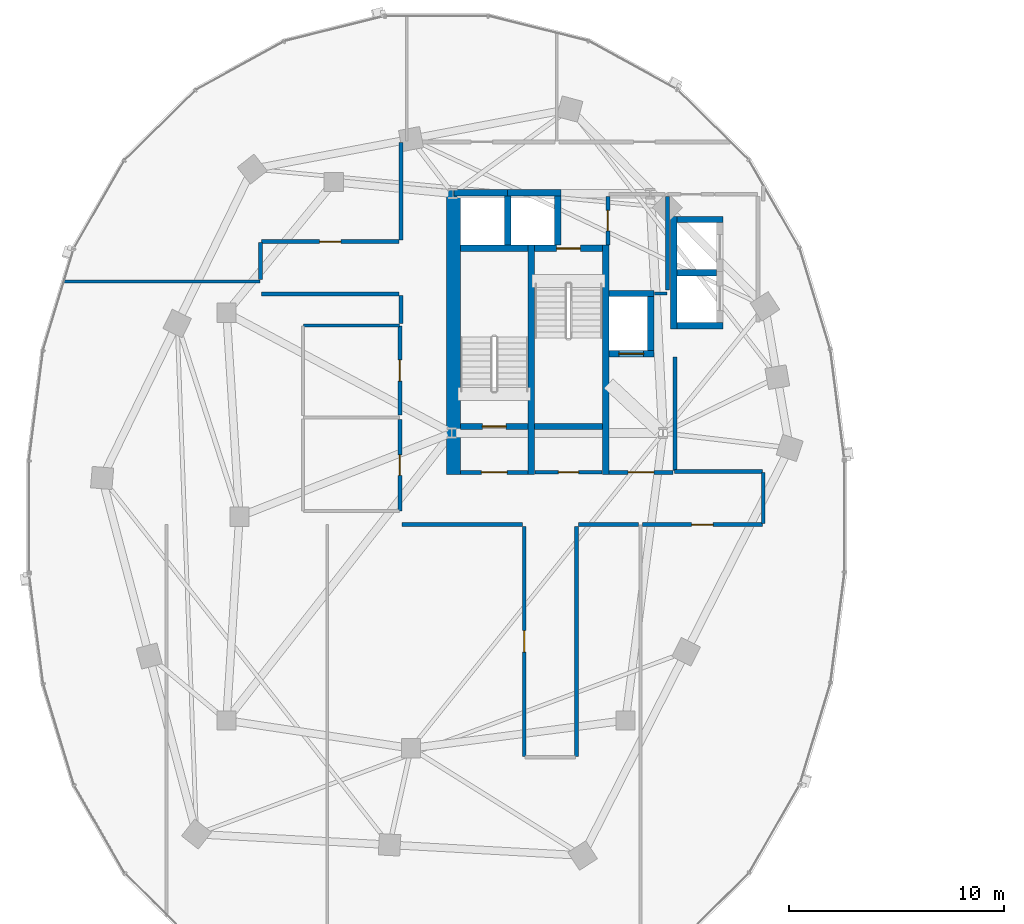
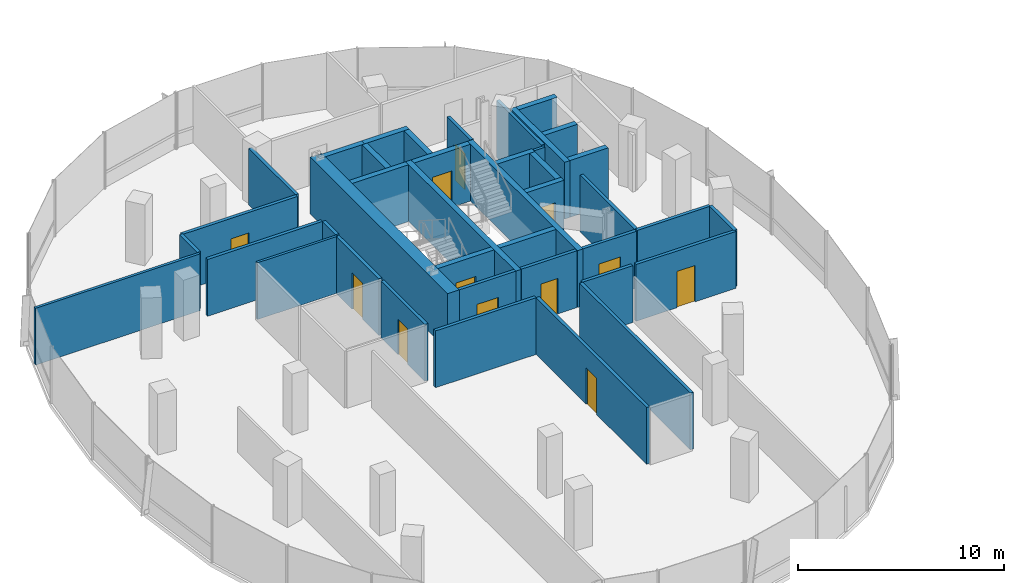
# One storey, part 12 of 22: 41 walls, 12 doors, 12 openings.
"""IFC4 building model written with IfcOpenShell, lengths in metres."""

from ifc_helpers import new_model, si_unit, direction, frame, frame_2d, origin, place, context, subcontext, project, spatial, rectangle, extrude, material, layer, layer_set, type_object, element, fill, save


model = new_model("IFC4")

# Units and contexts
model_context = context("Model", 3, precision=1e-05, world=origin(), true_north=direction((0.0, 1.0)))
body_context = subcontext(model_context, "Body", "Model", "MODEL_VIEW")
ifc_project = project(units=[si_unit("LENGTHUNIT", "METRE"), si_unit("AREAUNIT", "SQUARE_METRE"), si_unit("VOLUMEUNIT", "CUBIC_METRE"), si_unit("PLANEANGLEUNIT", "RADIAN"), si_unit("MASSUNIT", "GRAM", prefix="KILO"), si_unit("THERMODYNAMICTEMPERATUREUNIT", "KELVIN"), si_unit("POWERUNIT", "WATT")], contexts=[model_context])

# Site, building, storey
site_placement = place(None, origin())
site = spatial("IfcSite", under=ifc_project, at=site_placement, CompositionType="ELEMENT")
building_placement = place(site_placement, origin())
building = spatial("IfcBuilding", under=site, at=building_placement, Name="Cundina Bronze Exchange", CompositionType="ELEMENT")
storey_placement = place(building_placement, frame((0.0, 0.0, 140.39990234375)))
storey = spatial("IfcBuildingStorey", under=building, at=storey_placement, Name="L36", CompositionType="ELEMENT", Elevation=140.39990234375)

# Wall
ifc_material_1 = material(Name="Gypsum Fireboard Partition EI120")
ifc_layer_1 = layer(ifc_material_1, 0.179931640625, Name="Gypsum Fireboard Partition EI120")
ifc_layer_set_1 = layer_set([ifc_layer_1], Name="Gypsum Fireboard Partition EI120")
wall_type_1 = type_object("IfcWallType", Name="WL-COR-180", PredefinedType="PARTITIONING", material=ifc_layer_set_1)
wall_1_placement = place(storey_placement, frame((-20.889892578125, 2.14990234375, 0.0), z_axis=(0.0, 0.0, 1.0), x_axis=(0.0, 1.0, 0.0)))
element("IfcWall", 1, at=wall_1_placement, inside=storey, type_object=wall_type_1, Name="L36 W Firefighting Lobby Side Wall", PredefinedType="PARTITIONING", context=body_context, shape_type="SweptSolid", body=[
    extrude(rectangle(XDim=5.300048828125, YDim=0.179931640625, at=frame_2d((2.64990234375, 0.0))), origin(), (0.0, 0.0, 1.0), 3.360107421875),
])

# Wall, opening, door
wall_2_placement = place(storey_placement, frame((-23.97998046875, 2.06005859375, 0.0), z_axis=(0.0, 0.0, 1.0), x_axis=(1.0, 0.0, 0.0)))
wall_2 = element("IfcWall", 2, at=wall_2_placement, inside=storey, type_object=wall_type_1, Name="L36 W Firefighting Lobby Exit Wall", PredefinedType="PARTITIONING", context=body_context, shape_type="SweptSolid", body=[
    extrude(rectangle(XDim=3.0, YDim=0.179931640625, at=frame_2d((1.5, 0.0))), origin(), (0.0, 0.0, 1.0), 3.360107421875),
])
opening_1_placement = place(wall_2_placement, frame((0.89990234375, 0.0, 0.0)))
opening_1 = element("IfcOpeningElement", 3, at=opening_1_placement, cuts=wall_2, Name="Opening DF-01", PredefinedType="OPENING", context=body_context, shape_type="SweptSolid", body=[
    extrude(rectangle(XDim=1.199951171875, YDim=2.14990234375, at=frame_2d((0.60009765625, 1.074951171875))), frame((0.0, 0.099853515625, 0.0), z_axis=(0.0, -1.0, 0.0), x_axis=(1.0, 0.0, 0.0)), (0.0, 0.0, 1.0), 0.199951171875),
])
ifc_material_2 = material(Name="Steel ASTM A36 Painted", Category="steel")
door_type_1 = type_object("IfcDoorType", Name="DR-FFL-1200", OperationType="NOTDEFINED", PredefinedType="DOOR", material=ifc_material_2)
door_1_placement = place(opening_1_placement, origin())
door_1 = element("IfcDoor", 4, at=door_1_placement, inside=storey, type_object=door_type_1, Name="L36 W Firefighting Lobby Door", OperationType="SINGLE_SWING_RIGHT", OverallHeight=2.14990234375, OverallWidth=1.199951171875, PredefinedType="DOOR", context=body_context, shape_type="SweptSolid", body=[
    extrude(rectangle(XDim=1.199951171875, YDim=2.14990234375, at=frame_2d((0.60009765625, 1.074951171875))), frame((0.0, 0.02490234375, 0.0), z_axis=(0.0, -1.0, 0.0), x_axis=(1.0, 0.0, 0.0)), (0.0, 0.0, 1.0), 0.050048828125),
])
fill(opening_1, door_1)

wall_3_placement = place(storey_placement, frame((-30.89990234375, 2.06005859375, 0.0), z_axis=(0.0, 0.0, 1.0), x_axis=(1.0, 0.0, 0.0)))
wall_3 = element("IfcWall", 5, at=wall_3_placement, inside=storey, type_object=wall_type_1, Name="L36 W Stair Vestibule Exit Wall", PredefinedType="PARTITIONING", context=body_context, shape_type="SweptSolid", body=[
    extrude(rectangle(XDim=3.159912109375, YDim=0.179931640625, at=frame_2d((1.580078125, 0.0))), origin(), (0.0, 0.0, 1.0), 3.360107421875),
])
opening_2_placement = place(wall_3_placement, frame((0.97998046875, 0.0, 0.0)))
opening_2 = element("IfcOpeningElement", 6, at=opening_2_placement, cuts=wall_3, Name="Opening DF-01", PredefinedType="OPENING", context=body_context, shape_type="SweptSolid", body=[
    extrude(rectangle(XDim=1.199951171875, YDim=2.14990234375, at=frame_2d((0.60009765625, 1.074951171875))), frame((0.0, 0.099853515625, 0.0), z_axis=(0.0, -1.0, 0.0), x_axis=(1.0, 0.0, 0.0)), (0.0, 0.0, 1.0), 0.199951171875),
])
door_2_placement = place(opening_2_placement, origin())
door_2 = element("IfcDoor", 7, at=door_2_placement, inside=storey, type_object=door_type_1, Name="L36 W Stair Vestibule Door", OperationType="SINGLE_SWING_LEFT", OverallHeight=2.14990234375, OverallWidth=1.199951171875, PredefinedType="DOOR", context=body_context, shape_type="SweptSolid", body=[
    extrude(rectangle(XDim=1.199951171875, YDim=2.14990234375, at=frame_2d((0.60009765625, 1.074951171875))), frame((0.0, 0.02490234375, 0.0), z_axis=(0.0, -1.0, 0.0), x_axis=(1.0, 0.0, 0.0)), (0.0, 0.0, 1.0), 0.050048828125),
])
fill(opening_2, door_2)

# Wall
wall_4_placement = place(storey_placement, frame((-21.25, 10.570068359375, 0.0), z_axis=(0.0, 0.0, 1.0), x_axis=(0.0, 1.0, 0.0)))
element("IfcWall", 8, at=wall_4_placement, inside=storey, type_object=wall_type_1, Name="L36 Interior Partition 005", PredefinedType="PARTITIONING", context=body_context, shape_type="SweptSolid", body=[
    extrude(rectangle(XDim=4.35986328125, YDim=0.179931640625, at=frame_2d((2.179931640625, 0.0))), origin(), (0.0, 0.0, 1.0), 3.360107421875),
])

# Wall, opening, door
wall_5_placement = place(storey_placement, frame((-27.419921875, 2.070068359375, 0.0), z_axis=(0.0, 0.0, 1.0), x_axis=(1.0, 0.0, 0.0)))
wall_5 = element("IfcWall", 9, at=wall_5_placement, inside=storey, type_object=wall_type_1, Name="L36 Interior Partition 007", PredefinedType="PARTITIONING", context=body_context, shape_type="SweptSolid", body=[
    extrude(rectangle(XDim=3.119873046875, YDim=0.179931640625, at=frame_2d((1.56005859375, 0.0))), origin(), (0.0, 0.0, 1.0), 3.360107421875),
])
opening_3_placement = place(wall_5_placement, frame((1.0849609375, 0.0, 0.0)))
opening_3 = element("IfcOpeningElement", 10, at=opening_3_placement, cuts=wall_5, Name="Opening DW-01", PredefinedType="OPENING", context=body_context, shape_type="SweptSolid", body=[
    extrude(rectangle(XDim=0.949951171875, YDim=2.10009765625, at=frame_2d((0.47509765625, 1.050048828125))), frame((0.0, 0.099853515625, 0.0), z_axis=(0.0, -1.0, 0.0), x_axis=(1.0, 0.0, 0.0)), (0.0, 0.0, 1.0), 0.199951171875),
])
ifc_material_3 = material(Name="Solid Andean Oak Timber Grade A", Category="wood")
door_type_2 = type_object("IfcDoorType", Name="DR-WC-950", OperationType="NOTDEFINED", PredefinedType="DOOR", material=ifc_material_3)
door_3_placement = place(opening_3_placement, origin())
door_3 = element("IfcDoor", 11, at=door_3_placement, inside=storey, type_object=door_type_2, Name="L36 Interior Door 007", OperationType="SINGLE_SWING_LEFT", OverallHeight=2.10009765625, OverallWidth=0.949951171875, PredefinedType="DOOR", context=body_context, shape_type="SweptSolid", body=[
    extrude(rectangle(XDim=0.949951171875, YDim=2.10009765625, at=frame_2d((0.47509765625, 1.050048828125))), frame((0.0, 0.02490234375, 0.0), z_axis=(0.0, -1.0, 0.0), x_axis=(1.0, 0.0, 0.0)), (0.0, 0.0, 1.0), 0.050048828125),
])
fill(opening_3, door_3)

wall_6_placement = place(storey_placement, frame((-24.02001953125, 12.669921875, 0.0), z_axis=(0.0, 0.0, 1.0), x_axis=(0.0, 1.0, 0.0)))
wall_6 = element("IfcWall", 12, at=wall_6_placement, inside=storey, type_object=wall_type_1, Name="L36 Interior Partition 008", PredefinedType="PARTITIONING", context=body_context, shape_type="SweptSolid", body=[
    extrude(rectangle(XDim=2.260009765625, YDim=0.179931640625, at=frame_2d((1.1298828125, 0.0))), origin(), (0.0, 0.0, 1.0), 3.360107421875),
])
opening_4_placement = place(wall_6_placement, frame((0.655029296875, 0.0, 0.0)))
opening_4 = element("IfcOpeningElement", 13, at=opening_4_placement, cuts=wall_6, Name="Opening DW-01", PredefinedType="OPENING", context=body_context, shape_type="SweptSolid", body=[
    extrude(rectangle(XDim=0.949951171875, YDim=2.10009765625, at=frame_2d((0.47509765625, 1.050048828125))), frame((0.0, 0.099853515625, 0.0), z_axis=(0.0, -1.0, 0.0), x_axis=(1.0, 0.0, 0.0)), (0.0, 0.0, 1.0), 0.199951171875),
])
door_4_placement = place(opening_4_placement, origin())
door_4 = element("IfcDoor", 14, at=door_4_placement, inside=storey, type_object=door_type_2, Name="L36 Interior Door 008", OperationType="SINGLE_SWING_LEFT", OverallHeight=2.10009765625, OverallWidth=0.949951171875, PredefinedType="DOOR", context=body_context, shape_type="SweptSolid", body=[
    extrude(rectangle(XDim=0.949951171875, YDim=2.10009765625, at=frame_2d((0.47509765625, 1.050048828125))), frame((0.0, 0.02490234375, 0.0), z_axis=(0.0, -1.0, 0.0), x_axis=(1.0, 0.0, 0.0)), (0.0, 0.0, 1.0), 0.050048828125),
])
fill(opening_4, door_4)

wall_7_placement = place(storey_placement, frame((-33.719970703125, 0.27001953125, 0.0), z_axis=(0.0, 0.0, 1.0), x_axis=(0.0, 1.0, 0.0)))
wall_7 = element("IfcWall", 15, at=wall_7_placement, inside=storey, type_object=wall_type_1, Name="L36 Interior Partition 014", PredefinedType="PARTITIONING", context=body_context, shape_type="SweptSolid", body=[
    extrude(rectangle(XDim=4.260009765625, YDim=0.179931640625, at=frame_2d((2.1298828125, 0.0))), origin(), (0.0, 0.0, 1.0), 3.360107421875),
])
opening_5_placement = place(wall_7_placement, frame((1.655029296875, 0.0, 0.0)))
opening_5 = element("IfcOpeningElement", 16, at=opening_5_placement, cuts=wall_7, Name="Opening DW-01", PredefinedType="OPENING", context=body_context, shape_type="SweptSolid", body=[
    extrude(rectangle(XDim=0.949951171875, YDim=2.10009765625, at=frame_2d((0.47509765625, 1.050048828125))), frame((0.0, 0.099853515625, 0.0), z_axis=(0.0, -1.0, 0.0), x_axis=(1.0, 0.0, 0.0)), (0.0, 0.0, 1.0), 0.199951171875),
])
door_5_placement = place(opening_5_placement, origin())
door_5 = element("IfcDoor", 17, at=door_5_placement, inside=storey, type_object=door_type_2, Name="L36 Interior Door 014", OperationType="SINGLE_SWING_RIGHT", OverallHeight=2.10009765625, OverallWidth=0.949951171875, PredefinedType="DOOR", context=body_context, shape_type="SweptSolid", body=[
    extrude(rectangle(XDim=0.949951171875, YDim=2.10009765625, at=frame_2d((0.47509765625, 1.050048828125))), frame((0.0, 0.02490234375, 0.0), z_axis=(0.0, -1.0, 0.0), x_axis=(1.0, 0.0, 0.0)), (0.0, 0.0, 1.0), 0.050048828125),
])
fill(opening_5, door_5)

wall_8_placement = place(storey_placement, frame((-33.719970703125, 4.72998046875, 0.0), z_axis=(0.0, 0.0, 1.0), x_axis=(0.0, 1.0, 0.0)))
wall_8 = element("IfcWall", 18, at=wall_8_placement, inside=storey, type_object=wall_type_1, Name="L36 Interior Partition 015", PredefinedType="PARTITIONING", context=body_context, shape_type="SweptSolid", body=[
    extrude(rectangle(XDim=4.159912109375, YDim=0.179931640625, at=frame_2d((2.080078125, 0.0))), origin(), (0.0, 0.0, 1.0), 3.360107421875),
])
opening_6_placement = place(wall_8_placement, frame((1.580078125, 0.0, 0.0)))
opening_6 = element("IfcOpeningElement", 19, at=opening_6_placement, cuts=wall_8, Name="Opening DO-01", PredefinedType="OPENING", context=body_context, shape_type="SweptSolid", body=[
    extrude(rectangle(XDim=1.0, YDim=2.14990234375, at=frame_2d((0.5, 1.074951171875))), frame((0.0, 0.099853515625, 0.0), z_axis=(0.0, -1.0, 0.0), x_axis=(1.0, 0.0, 0.0)), (0.0, 0.0, 1.0), 0.199951171875),
])
door_type_3 = type_object("IfcDoorType", Name="DR-OFF-1000", OperationType="NOTDEFINED", PredefinedType="DOOR", material=ifc_material_3)
door_6_placement = place(opening_6_placement, origin())
door_6 = element("IfcDoor", 20, at=door_6_placement, inside=storey, type_object=door_type_3, Name="L36 Interior Door 015", OperationType="SINGLE_SWING_RIGHT", OverallHeight=2.14990234375, OverallWidth=1.0, PredefinedType="DOOR", context=body_context, shape_type="SweptSolid", body=[
    extrude(rectangle(XDim=1.0, YDim=2.14990234375, at=frame_2d((0.5, 1.074951171875))), frame((0.0, 0.02490234375, 0.0), z_axis=(0.0, -1.0, 0.0), x_axis=(1.0, 0.0, 0.0)), (0.0, 0.0, 1.0), 0.050048828125),
])
fill(opening_6, door_6)

wall_9_placement = place(storey_placement, frame((-27.919921875, -0.449951171875, 0.0), z_axis=(0.0, 0.0, 1.0), x_axis=(0.0, -1.0, 0.0)))
wall_9 = element("IfcWall", 21, at=wall_9_placement, inside=storey, type_object=wall_type_1, Name="L36 Interior Partition 022", PredefinedType="PARTITIONING", context=body_context, shape_type="SweptSolid", body=[
    extrude(rectangle(XDim=10.728515625, YDim=0.179931640625, at=frame_2d((5.3642578125, 0.0))), origin(), (0.0, 0.0, 1.0), 3.360107421875),
])
opening_7_placement = place(wall_9_placement, frame((4.8642578125, 0.0, 0.0)))
opening_7 = element("IfcOpeningElement", 22, at=opening_7_placement, cuts=wall_9, Name="Opening DO-01", PredefinedType="OPENING", context=body_context, shape_type="SweptSolid", body=[
    extrude(rectangle(XDim=1.0, YDim=2.14990234375, at=frame_2d((0.5, 1.074951171875))), frame((0.0, 0.099853515625, 0.0), z_axis=(0.0, -1.0, 0.0), x_axis=(1.0, 0.0, 0.0)), (0.0, 0.0, 1.0), 0.199951171875),
])
door_7_placement = place(opening_7_placement, origin())
door_7 = element("IfcDoor", 23, at=door_7_placement, inside=storey, type_object=door_type_3, Name="L36 Interior Door 022", OperationType="SINGLE_SWING_LEFT", OverallHeight=2.14990234375, OverallWidth=1.0, PredefinedType="DOOR", context=body_context, shape_type="SweptSolid", body=[
    extrude(rectangle(XDim=1.0, YDim=2.14990234375, at=frame_2d((0.5, 1.074951171875))), frame((0.0, 0.02490234375, 0.0), z_axis=(0.0, -1.0, 0.0), x_axis=(1.0, 0.0, 0.0)), (0.0, 0.0, 1.0), 0.050048828125),
])
fill(opening_7, door_7)

# Walls
wall_10_placement = place(storey_placement, frame((-25.47998046875, -11.178466796875, 0.0), z_axis=(0.0, 0.0, 1.0), x_axis=(0.0, 1.0, 0.0)))
element("IfcWall", 24, at=wall_10_placement, inside=storey, type_object=wall_type_1, Name="L36 Interior Partition 023", PredefinedType="PARTITIONING", context=body_context, shape_type="SweptSolid", body=[
    extrude(rectangle(XDim=10.728515625, YDim=0.179931640625, at=frame_2d((5.3642578125, 0.0))), origin(), (0.0, 0.0, 1.0), 3.360107421875),
])
wall_11_placement = place(storey_placement, frame((-40.178466796875, 10.3798828125, 0.0), z_axis=(0.0, 0.0, 1.0), x_axis=(1.0, 0.0, 0.0)))
element("IfcWall", 25, at=wall_11_placement, inside=storey, type_object=wall_type_1, Name="L36 Interior Partition 024", PredefinedType="PARTITIONING", context=body_context, shape_type="SweptSolid", body=[
    extrude(rectangle(XDim=6.428466796875, YDim=0.179931640625, at=frame_2d((3.21435546875, 0.0))), origin(), (0.0, 0.0, 1.0), 3.360107421875),
])
wall_12_placement = place(storey_placement, frame((-33.62841796875, -0.3701171875, 0.0), z_axis=(0.0, 0.0, 1.0), x_axis=(1.0, 0.0, 0.0)))
element("IfcWall", 26, at=wall_12_placement, inside=storey, type_object=wall_type_1, Name="L36 Interior Partition 025", PredefinedType="PARTITIONING", context=body_context, shape_type="SweptSolid", body=[
    extrude(rectangle(XDim=5.62841796875, YDim=0.179931640625, at=frame_2d((2.814208984375, 0.0))), origin(), (0.0, 0.0, 1.0), 3.360107421875),
])
wall_13_placement = place(storey_placement, frame((-25.39990234375, -0.3701171875, 0.0), z_axis=(0.0, 0.0, 1.0), x_axis=(1.0, 0.0, 0.0)))
element("IfcWall", 27, at=wall_13_placement, inside=storey, type_object=wall_type_1, Name="L36 Interior Partition 026", PredefinedType="PARTITIONING", context=body_context, shape_type="SweptSolid", body=[
    extrude(rectangle(XDim=2.809814453125, YDim=0.179931640625, at=frame_2d((1.40478515625, 0.0))), origin(), (0.0, 0.0, 1.0), 3.360107421875),
])
wall_14_placement = place(storey_placement, frame((-33.669921875, 10.300048828125, 0.0), z_axis=(0.0, 0.0, 1.0), x_axis=(0.0, -1.0, 0.0)))
element("IfcWall", 28, at=wall_14_placement, inside=storey, type_object=wall_type_1, Name="L36 Interior Partition 028", PredefinedType="PARTITIONING", context=body_context, shape_type="SweptSolid", body=[
    extrude(rectangle(XDim=1.298583984375, YDim=0.179931640625, at=frame_2d((0.6494140625, 0.0))), origin(), (0.0, 0.0, 1.0), 3.360107421875),
])

# Wall, opening, door
wall_15_placement = place(storey_placement, frame((-22.409912109375, -0.3701171875, 0.0), z_axis=(0.0, 0.0, 1.0), x_axis=(1.0, 0.0, 0.0)))
wall_15 = element("IfcWall", 29, at=wall_15_placement, inside=storey, type_object=wall_type_1, Name="L36 Interior Partition 029", PredefinedType="PARTITIONING", context=body_context, shape_type="SweptSolid", body=[
    extrude(rectangle(XDim=5.58837890625, YDim=0.179931640625, at=frame_2d((2.794189453125, 0.0))), origin(), (0.0, 0.0, 1.0), 3.360107421875),
])
opening_8_placement = place(wall_15_placement, frame((2.294189453125, 0.0, 0.0)))
opening_8 = element("IfcOpeningElement", 30, at=opening_8_placement, cuts=wall_15, Name="Opening DO-01", PredefinedType="OPENING", context=body_context, shape_type="SweptSolid", body=[
    extrude(rectangle(XDim=1.0, YDim=2.14990234375, at=frame_2d((0.5, 1.074951171875))), frame((0.0, 0.099853515625, 0.0), z_axis=(0.0, -1.0, 0.0), x_axis=(1.0, 0.0, 0.0)), (0.0, 0.0, 1.0), 0.199951171875),
])
door_8_placement = place(opening_8_placement, origin())
door_8 = element("IfcDoor", 31, at=door_8_placement, inside=storey, type_object=door_type_3, Name="L36 Interior Door 029", OperationType="SINGLE_SWING_LEFT", OverallHeight=2.14990234375, OverallWidth=1.0, PredefinedType="DOOR", context=body_context, shape_type="SweptSolid", body=[
    extrude(rectangle(XDim=1.0, YDim=2.14990234375, at=frame_2d((0.5, 1.074951171875))), frame((0.0, 0.02490234375, 0.0), z_axis=(0.0, -1.0, 0.0), x_axis=(1.0, 0.0, 0.0)), (0.0, 0.0, 1.0), 0.050048828125),
])
fill(opening_8, door_8)

# Walls
wall_16_placement = place(storey_placement, frame((-16.821533203125, 2.10009765625, 0.0), z_axis=(0.0, 0.0, 1.0), x_axis=(-1.0, 0.0, 0.0)))
element("IfcWall", 32, at=wall_16_placement, inside=storey, type_object=wall_type_1, Name="L36 Interior Partition 030", PredefinedType="PARTITIONING", context=body_context, shape_type="SweptSolid", body=[
    extrude(rectangle(XDim=4.098388671875, YDim=0.179931640625, at=frame_2d((2.04931640625, 0.0))), origin(), (0.0, 0.0, 1.0), 3.360107421875),
])
wall_17_placement = place(storey_placement, frame((-16.780029296875, -0.32861328125, 0.0), z_axis=(0.0, 0.0, 1.0), x_axis=(0.0, 1.0, 0.0)))
element("IfcWall", 33, at=wall_17_placement, inside=storey, type_object=wall_type_1, Name="L36 Interior Partition 031", PredefinedType="PARTITIONING", context=body_context, shape_type="SweptSolid", body=[
    extrude(rectangle(XDim=2.38720703125, YDim=0.179931640625, at=frame_2d((1.193603515625, 0.0))), origin(), (0.0, 0.0, 1.0), 3.360107421875),
])

# Wall, opening, door
wall_18_placement = place(storey_placement, frame((-33.75, 12.820068359375, 0.0), z_axis=(0.0, 0.0, 1.0), x_axis=(-1.0, 0.0, 0.0)))
wall_18 = element("IfcWall", 34, at=wall_18_placement, inside=storey, type_object=wall_type_1, Name="L36 Interior Partition 033", PredefinedType="PARTITIONING", context=body_context, shape_type="SweptSolid", body=[
    extrude(rectangle(XDim=6.428466796875, YDim=0.179931640625, at=frame_2d((3.21435546875, 0.0))), origin(), (0.0, 0.0, 1.0), 3.360107421875),
])
opening_9_placement = place(wall_18_placement, frame((2.714111328125, 0.0, 0.0)))
opening_9 = element("IfcOpeningElement", 35, at=opening_9_placement, cuts=wall_18, Name="Opening DO-01", PredefinedType="OPENING", context=body_context, shape_type="SweptSolid", body=[
    extrude(rectangle(XDim=1.0, YDim=2.14990234375, at=frame_2d((0.5, 1.074951171875))), frame((0.0, 0.099853515625, 0.0), z_axis=(0.0, -1.0, 0.0), x_axis=(1.0, 0.0, 0.0)), (0.0, 0.0, 1.0), 0.199951171875),
])
door_9_placement = place(opening_9_placement, origin())
door_9 = element("IfcDoor", 36, at=door_9_placement, inside=storey, type_object=door_type_3, Name="L36 Interior Door 033", OperationType="SINGLE_SWING_RIGHT", OverallHeight=2.14990234375, OverallWidth=1.0, PredefinedType="DOOR", context=body_context, shape_type="SweptSolid", body=[
    extrude(rectangle(XDim=1.0, YDim=2.14990234375, at=frame_2d((0.5, 1.074951171875))), frame((0.0, 0.02490234375, 0.0), z_axis=(0.0, -1.0, 0.0), x_axis=(1.0, 0.0, 0.0)), (0.0, 0.0, 1.0), 0.050048828125),
])
fill(opening_9, door_9)

# Walls
wall_19_placement = place(storey_placement, frame((-33.669921875, 17.428466796875, 0.0), z_axis=(0.0, 0.0, 1.0), x_axis=(0.0, -1.0, 0.0)))
element("IfcWall", 37, at=wall_19_placement, inside=storey, type_object=wall_type_1, Name="L36 Interior Partition 034", PredefinedType="PARTITIONING", context=body_context, shape_type="SweptSolid", body=[
    extrude(rectangle(XDim=4.528564453125, YDim=0.179931640625, at=frame_2d((2.26416015625, 0.0))), origin(), (0.0, 0.0, 1.0), 3.360107421875),
])
wall_20_placement = place(storey_placement, frame((-40.219970703125, 12.778564453125, 0.0), z_axis=(0.0, 0.0, 1.0), x_axis=(0.0, -1.0, 0.0)))
element("IfcWall", 38, at=wall_20_placement, inside=storey, type_object=wall_type_1, Name="L36 Interior Partition 035", PredefinedType="PARTITIONING", context=body_context, shape_type="SweptSolid", body=[
    extrude(rectangle(XDim=1.728515625, YDim=0.179931640625, at=frame_2d((0.8642578125, 0.0))), origin(), (0.0, 0.0, 1.0), 3.360107421875),
])
ifc_material_4 = material(Name="Concrete C50/60", Category="concrete")
ifc_layer_2 = layer(ifc_material_4, 0.64990234375, Name="Concrete C50/60", Category="concrete")
ifc_layer_set_2 = layer_set([ifc_layer_2], Name="Concrete C50/60")
wall_type_2 = type_object("IfcWallType", Name="WL-CORE-650", PredefinedType="SHEAR", material=ifc_layer_set_2)
wall_21_placement = place(storey_placement, frame((-31.22509765625, 1.969970703125, 0.0), z_axis=(0.0, 0.0, 1.0), x_axis=(0.0, 1.0, 0.0)))
element("IfcWall", 39, at=wall_21_placement, inside=storey, type_object=wall_type_2, Name="L36 W Primary Core Shear Spine Wall", PredefinedType="SHEAR", context=body_context, shape_type="SweptSolid", body=[
    extrude(rectangle(XDim=13.330078125, YDim=0.64990234375, at=frame_2d((6.6650390625, 0.0))), origin(), (0.0, 0.0, 1.0), 3.360107421875),
])
ifc_layer_3 = layer(ifc_material_4, 0.300048828125, Name="Concrete C50/60", Category="concrete")
ifc_layer_set_3 = layer_set([ifc_layer_3], Name="Concrete C50/60")
wall_type_3 = type_object("IfcWallType", Name="WL-SHFT-300", PredefinedType="SHEAR", material=ifc_layer_set_3)
for number, where, z_axis, x_axis, name in (
    (40, (-27.590087890625, 1.969970703125, 0.0), (0.0, 0.0, 1.0), (0.0, 1.0, 0.0), "L36 W Stair Shaft Dividing Shear Wall"),
    (41, (-24.1298828125, 1.969970703125, 0.0), (0.0, 0.0, 1.0), (0.0, 1.0, 0.0), "L36 W Stair 2 East Shear Wall"),
):
    element("IfcWall", number, at=place(storey_placement, frame(where, z_axis=z_axis, x_axis=x_axis)), inside=storey, type_object=wall_type_3, Name=name, PredefinedType="SHEAR", context=body_context, shape_type="SweptSolid", body=[
        extrude(rectangle(XDim=10.679931640625, YDim=0.300048828125, at=frame_2d((5.33984375, 0.0))), origin(), (0.0, 0.0, 1.0), 3.360107421875),
    ])

# Wall, opening, door
wall_22_placement = place(storey_placement, frame((-30.89990234375, 4.199951171875, 0.0), z_axis=(0.0, 0.0, 1.0), x_axis=(1.0, 0.0, 0.0)))
wall_22 = element("IfcWall", 42, at=wall_22_placement, inside=storey, type_object=wall_type_3, Name="L36 Stair W1 Landing Wall", PredefinedType="SHEAR", context=body_context, shape_type="SweptSolid", body=[
    extrude(rectangle(XDim=3.159912109375, YDim=0.300048828125, at=frame_2d((1.580078125, 0.0))), origin(), (0.0, 0.0, 1.0), 3.360107421875),
])
opening_10_placement = place(wall_22_placement, frame((1.030029296875, 0.0, 0.0)))
opening_10 = element("IfcOpeningElement", 43, at=opening_10_placement, cuts=wall_22, Name="Opening DS-01", PredefinedType="OPENING", context=body_context, shape_type="SweptSolid", body=[
    extrude(rectangle(XDim=1.10009765625, YDim=2.14990234375, at=frame_2d((0.550048828125, 1.074951171875))), frame((0.0, 0.159912109375, 0.0), z_axis=(0.0, -1.0, 0.0), x_axis=(1.0, 0.0, 0.0)), (0.0, 0.0, 1.0), 0.320068359375),
])
door_type_4 = type_object("IfcDoorType", Name="DR-STR-1100", OperationType="NOTDEFINED", PredefinedType="DOOR", material=ifc_material_2)
door_10_placement = place(opening_10_placement, origin())
door_10 = element("IfcDoor", 44, at=door_10_placement, inside=storey, type_object=door_type_4, Name="L36 Smokeproof Stair W1 Door", OperationType="SINGLE_SWING_RIGHT", OverallHeight=2.14990234375, OverallWidth=1.10009765625, PredefinedType="DOOR", context=body_context, shape_type="SweptSolid", body=[
    extrude(rectangle(XDim=1.10009765625, YDim=2.14990234375, at=frame_2d((0.550048828125, 1.074951171875))), frame((0.0, 0.02490234375, 0.0), z_axis=(0.0, -1.0, 0.0), x_axis=(1.0, 0.0, 0.0)), (0.0, 0.0, 1.0), 0.050048828125),
])
fill(opening_10, door_10)

# Wall
wall_23_placement = place(storey_placement, frame((-30.89990234375, 12.5, 0.0), z_axis=(0.0, 0.0, 1.0), x_axis=(1.0, 0.0, 0.0)))
element("IfcWall", 45, at=wall_23_placement, inside=storey, type_object=wall_type_3, Name="L36 Stair W1 Far Shaft Wall", PredefinedType="SHEAR", context=body_context, shape_type="SweptSolid", body=[
    extrude(rectangle(XDim=3.159912109375, YDim=0.300048828125, at=frame_2d((1.580078125, 0.0))), origin(), (0.0, 0.0, 1.0), 3.360107421875),
])

# Wall, opening, door
wall_24_placement = place(storey_placement, frame((-27.43994140625, 12.5, 0.0), z_axis=(0.0, 0.0, 1.0), x_axis=(1.0, 0.0, 0.0)))
wall_24 = element("IfcWall", 46, at=wall_24_placement, inside=storey, type_object=wall_type_3, Name="L36 Stair W2 Landing Wall", PredefinedType="SHEAR", context=body_context, shape_type="SweptSolid", body=[
    extrude(rectangle(XDim=3.159912109375, YDim=0.300048828125, at=frame_2d((1.580078125, 0.0))), origin(), (0.0, 0.0, 1.0), 3.360107421875),
])
opening_11_placement = place(wall_24_placement, frame((1.030029296875, 0.0, 0.0)))
opening_11 = element("IfcOpeningElement", 47, at=opening_11_placement, cuts=wall_24, Name="Opening DS-01", PredefinedType="OPENING", context=body_context, shape_type="SweptSolid", body=[
    extrude(rectangle(XDim=1.10009765625, YDim=2.14990234375, at=frame_2d((0.550048828125, 1.074951171875))), frame((0.0, 0.159912109375, 0.0), z_axis=(0.0, -1.0, 0.0), x_axis=(1.0, 0.0, 0.0)), (0.0, 0.0, 1.0), 0.320068359375),
])
door_11_placement = place(opening_11_placement, origin())
door_11 = element("IfcDoor", 48, at=door_11_placement, inside=storey, type_object=door_type_4, Name="L36 Smokeproof Stair W2 Door", OperationType="SINGLE_SWING_LEFT", OverallHeight=2.14990234375, OverallWidth=1.10009765625, PredefinedType="DOOR", context=body_context, shape_type="SweptSolid", body=[
    extrude(rectangle(XDim=1.10009765625, YDim=2.14990234375, at=frame_2d((0.550048828125, 1.074951171875))), frame((0.0, 0.02490234375, 0.0), z_axis=(0.0, -1.0, 0.0), x_axis=(1.0, 0.0, 0.0)), (0.0, 0.0, 1.0), 0.050048828125),
])
fill(opening_11, door_11)

# Wall
wall_25_placement = place(storey_placement, frame((-27.43994140625, 4.199951171875, 0.0), z_axis=(0.0, 0.0, 1.0), x_axis=(1.0, 0.0, 0.0)))
element("IfcWall", 49, at=wall_25_placement, inside=storey, type_object=wall_type_3, Name="L36 Stair W2 Far Shaft Wall", PredefinedType="SHEAR", context=body_context, shape_type="SweptSolid", body=[
    extrude(rectangle(XDim=3.159912109375, YDim=0.300048828125, at=frame_2d((1.580078125, 0.0))), origin(), (0.0, 0.0, 1.0), 3.360107421875),
])

# Wall, opening, door
wall_26_placement = place(storey_placement, frame((-23.97998046875, 7.60009765625, 0.0), z_axis=(0.0, 0.0, 1.0), x_axis=(1.0, 0.0, 0.0)))
wall_26 = element("IfcWall", 50, at=wall_26_placement, inside=storey, type_object=wall_type_3, Name="L36 FFL-W Hoistway Front Wall", PredefinedType="SHEAR", context=body_context, shape_type="SweptSolid", body=[
    extrude(rectangle(XDim=2.10009765625, YDim=0.300048828125, at=frame_2d((1.050048828125, 0.0))), origin(), (0.0, 0.0, 1.0), 3.360107421875),
])
opening_12_placement = place(wall_26_placement, frame((0.47509765625, 0.0, 0.0)))
opening_12 = element("IfcOpeningElement", 51, at=opening_12_placement, cuts=wall_26, Name="Opening LD-01", PredefinedType="OPENING", context=body_context, shape_type="SweptSolid", body=[
    extrude(rectangle(XDim=1.14990234375, YDim=2.199951171875, at=frame_2d((0.574951171875, 1.10009765625))), frame((0.0, 0.159912109375, 0.0), z_axis=(0.0, -1.0, 0.0), x_axis=(1.0, 0.0, 0.0)), (0.0, 0.0, 1.0), 0.320068359375),
])
door_type_5 = type_object("IfcDoorType", Name="DR-LND-1150", OperationType="NOTDEFINED", PredefinedType="TRAPDOOR", material=ifc_material_2)
door_12_placement = place(opening_12_placement, origin())
door_12 = element("IfcDoor", 52, at=door_12_placement, inside=storey, type_object=door_type_5, Name="L36 FFL-W Sliding Landing Door", OperationType="SLIDING_TO_LEFT", OverallHeight=2.199951171875, OverallWidth=1.14990234375, PredefinedType="TRAPDOOR", context=body_context, shape_type="SweptSolid", body=[
    extrude(rectangle(XDim=1.14990234375, YDim=2.199951171875, at=frame_2d((0.574951171875, 1.10009765625))), frame((0.0, 0.02490234375, 0.0), z_axis=(0.0, -1.0, 0.0), x_axis=(1.0, 0.0, 0.0)), (0.0, 0.0, 1.0), 0.050048828125),
])
fill(opening_12, door_12)

# Walls
wall_27_placement = place(storey_placement, frame((-23.97998046875, 10.39990234375, 0.0), z_axis=(0.0, 0.0, 1.0), x_axis=(1.0, 0.0, 0.0)))
element("IfcWall", 53, at=wall_27_placement, inside=storey, type_object=wall_type_3, Name="L36 FFL-W Hoistway Back Wall", PredefinedType="SHEAR", context=body_context, shape_type="SweptSolid", body=[
    extrude(rectangle(XDim=2.10009765625, YDim=0.300048828125, at=frame_2d((1.050048828125, 0.0))), origin(), (0.0, 0.0, 1.0), 3.360107421875),
])
for number, where, z_axis, x_axis, name in (
    (54, (-22.030029296875, 7.75, 0.0), (0.0, 0.0, 1.0), (0.0, 1.0, 0.0), "L36 FFL-W Hoistway Side Wall"),
    (55, (-31.199951171875, 15.10009765625, 0.0), (0.0, 0.0, 1.0), (1.0, 0.0, 0.0), "L36 PH-W1 Hoistway Front Wall"),
):
    element("IfcWall", number, at=place(storey_placement, frame(where, z_axis=z_axis, x_axis=x_axis)), inside=storey, type_object=wall_type_3, Name=name, PredefinedType="SHEAR", context=body_context, shape_type="SweptSolid", body=[
        extrude(rectangle(XDim=2.5, YDim=0.300048828125, at=frame_2d((1.25, 0.0))), origin(), (0.0, 0.0, 1.0), 3.360107421875),
    ])
wall_28_placement = place(storey_placement, frame((-28.699951171875, 12.64990234375, 0.0), z_axis=(0.0, 0.0, 1.0), x_axis=(0.0, 1.0, 0.0)))
element("IfcWall", 56, at=wall_28_placement, inside=storey, type_object=wall_type_3, Name="L36 PH-W1 Hoistway Divider Wall", PredefinedType="SHEAR", context=body_context, shape_type="SweptSolid", body=[
    extrude(rectangle(XDim=2.300048828125, YDim=0.300048828125, at=frame_2d((1.14990234375, 0.0))), origin(), (0.0, 0.0, 1.0), 3.360107421875),
])
wall_29_placement = place(storey_placement, frame((-28.699951171875, 15.10009765625, 0.0), z_axis=(0.0, 0.0, 1.0), x_axis=(1.0, 0.0, 0.0)))
element("IfcWall", 57, at=wall_29_placement, inside=storey, type_object=wall_type_3, Name="L36 PH-W2 Hoistway Front Wall", PredefinedType="SHEAR", context=body_context, shape_type="SweptSolid", body=[
    extrude(rectangle(XDim=2.5, YDim=0.300048828125, at=frame_2d((1.25, 0.0))), origin(), (0.0, 0.0, 1.0), 3.360107421875),
])
wall_30_placement = place(storey_placement, frame((-26.35009765625, 12.64990234375, 0.0), z_axis=(0.0, 0.0, 1.0), x_axis=(0.0, 1.0, 0.0)))
element("IfcWall", 58, at=wall_30_placement, inside=storey, type_object=wall_type_3, Name="L36 PH-W2 Hoistway Divider Wall", PredefinedType="SHEAR", context=body_context, shape_type="SweptSolid", body=[
    extrude(rectangle(XDim=2.300048828125, YDim=0.300048828125, at=frame_2d((1.14990234375, 0.0))), origin(), (0.0, 0.0, 1.0), 3.360107421875),
])
wall_31_placement = place(storey_placement, frame((-20.949951171875, 8.75, 0.0), z_axis=(0.0, 0.0, 1.0), x_axis=(0.0, 1.0, 0.0)))
element("IfcWall", 59, at=wall_31_placement, inside=storey, type_object=wall_type_3, Name="L36 W Passenger Bank Hoistway Back Wall", PredefinedType="SHEAR", context=body_context, shape_type="SweptSolid", body=[
    extrude(rectangle(XDim=5.25, YDim=0.300048828125, at=frame_2d((2.625, 0.0))), origin(), (0.0, 0.0, 1.0), 3.360107421875),
])
for number, where, z_axis, x_axis, name in (
    (60, (-20.800048828125, 8.89990234375, 0.0), (0.0, 0.0, 1.0), (1.0, 0.0, 0.0), "L36 W Passenger Bank South Cap Wall"),
    (61, (-20.800048828125, 13.85009765625, 0.0), (0.0, 0.0, 1.0), (1.0, 0.0, 0.0), "L36 W Passenger Bank North Cap Wall"),
):
    element("IfcWall", number, at=place(storey_placement, frame(where, z_axis=z_axis, x_axis=x_axis)), inside=storey, type_object=wall_type_3, Name=name, PredefinedType="SHEAR", context=body_context, shape_type="SweptSolid", body=[
        extrude(rectangle(XDim=2.150146484375, YDim=0.300048828125, at=frame_2d((1.0751953125, 0.0))), origin(), (0.0, 0.0, 1.0), 3.360107421875),
    ])
wall_32_placement = place(storey_placement, frame((-20.800048828125, 11.375, 0.0), z_axis=(0.0, 0.0, 1.0), x_axis=(1.0, 0.0, 0.0)))
element("IfcWall", 62, at=wall_32_placement, inside=storey, type_object=wall_type_3, Name="L36 W Passenger Hoistway Divider 1", PredefinedType="SHEAR", context=body_context, shape_type="SweptSolid", body=[
    extrude(rectangle(XDim=1.85009765625, YDim=0.300048828125, at=frame_2d((0.925048828125, 0.0))), origin(), (0.0, 0.0, 1.0), 3.360107421875),
])
ifc_material_5 = material(Name="Gypsum Acoustic Partition EI60")
ifc_layer_4 = layer(ifc_material_5, 0.14990234375, Name="Gypsum Acoustic Partition EI60")
ifc_layer_set_4 = layer_set([ifc_layer_4], Name="Gypsum Acoustic Partition EI60")
wall_type_4 = type_object("IfcWallType", Name="WL-TEN-150", PredefinedType="PARTITIONING", material=ifc_layer_set_4)
wall_33_placement = place(storey_placement, frame((-49.454345703125, 10.9599609375, 0.0), z_axis=(0.0, 0.0, 1.0), x_axis=(1.0, 0.0, 0.0)))
element("IfcWall", 63, at=wall_33_placement, inside=storey, type_object=wall_type_4, Name="L36 Interior Partition 019", PredefinedType="PARTITIONING", context=body_context, shape_type="SweptSolid", body=[
    extrude(rectangle(XDim=9.204345703125, YDim=0.14990234375, at=frame_2d((4.60205078125, 0.0))), origin(), (0.0, 0.0, 1.0), 3.360107421875),
])
ifc_material_6 = material(Name="Moisture-Resistant Masonry Block Grade M15", Category="masonry")
ifc_layer_5 = layer(ifc_material_6, 0.139892578125, Name="Moisture-Resistant Masonry Block Grade M15", Category="masonry")
ifc_layer_set_5 = layer_set([ifc_layer_5], Name="Moisture-Resistant Masonry Block Grade M15")
wall_type_5 = type_object("IfcWallType", Name="WL-WET-140", PredefinedType="PARTITIONING", material=ifc_layer_set_5)
wall_34_placement = place(storey_placement, frame((-21.860107421875, 10.39990234375, 0.0), z_axis=(0.0, 0.0, 1.0), x_axis=(1.0, 0.0, 0.0)))
element("IfcWall", 64, at=wall_34_placement, inside=storey, type_object=wall_type_5, Name="L36 Interior Partition 004", PredefinedType="PARTITIONING", context=body_context, shape_type="SweptSolid", body=[
    extrude(rectangle(XDim=0.590087890625, YDim=0.139892578125, at=frame_2d((0.294921875, 0.0))), origin(), (0.0, 0.0, 1.0), 3.360107421875),
])
wall_35_placement = place(storey_placement, frame((-38.219970703125, 8.909912109375, 0.0), z_axis=(0.0, 0.0, 1.0), x_axis=(1.0, 0.0, 0.0)))
element("IfcWall", 65, at=wall_35_placement, inside=storey, type_object=wall_type_5, Name="L36 Interior Partition 013", PredefinedType="PARTITIONING", context=body_context, shape_type="SweptSolid", body=[
    extrude(rectangle(XDim=4.47998046875, YDim=0.139892578125, at=frame_2d((2.239990234375, 0.0))), origin(), (0.0, 0.0, 1.0), 3.360107421875),
])

save(model, "model.ifc")
